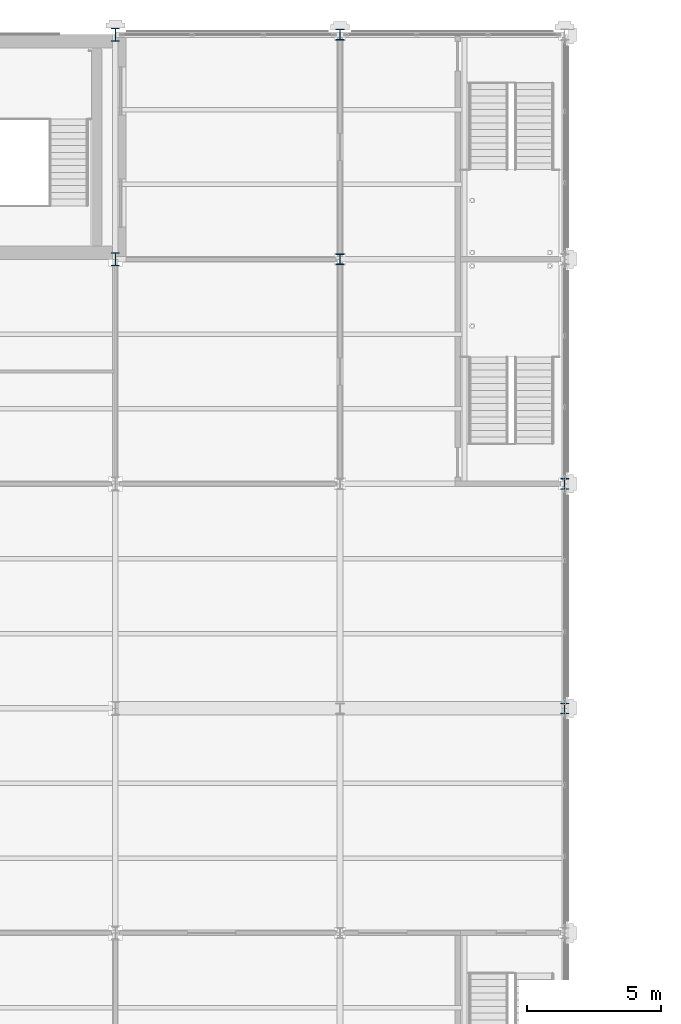
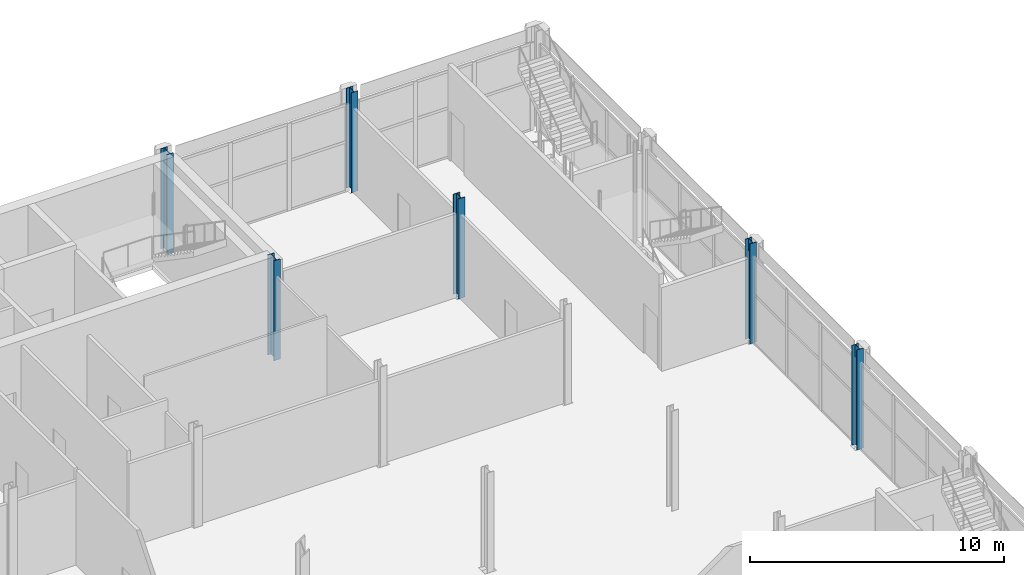
# One storey, part 14 of 167: 6 columns.
"""IFC4 building model written with IfcOpenShell, lengths in metres."""

import ifcopenshell
import ifcopenshell.guid

model = None  # the IFC model being written
_history = None  # IfcOwnerHistory: only IFC2X3 demands one
_inside = {}  # id of a spatial element -> (the spatial element, [elements in it])
_under = {}  # id of a project, library or spatial element -> (it, [spatial elements below it])
_declared = {}  # id of a project -> (the project, [libraries it declares])
_typed = {}  # id of a type object -> (the type object, [elements of that type])
_made_of = {}  # id of a material, layer set ... -> (it, [elements and type objects made of it])


def new_model(schema):
    """Start an empty IFC model of exactly this schema.

    Asked for "IFC4X3", IfcOpenShell would pick the latest addendum, in which some entities
    have other attributes; the version numbers below select the first issue.
    IFC2X3 requires an IfcOwnerHistory on every rooted entity: one is made here for all.
    """
    global model, _history
    if schema == "IFC4X3":
        model = ifcopenshell.file(schema_version=(4, 3, 0, 0))
    else:
        model = ifcopenshell.file(schema=schema)
    _inside.clear()
    _under.clear()
    _declared.clear()
    _typed.clear()
    _made_of.clear()
    _history = None
    if model.schema == "IFC2X3":
        org = make("IfcOrganization", Name="unknown")
        user = make(
            "IfcPersonAndOrganization",
            ThePerson=make("IfcPerson", FamilyName="unknown"),
            TheOrganization=org,
        )
        app = make(
            "IfcApplication",
            ApplicationDeveloper=org,
            Version="unknown",
            ApplicationFullName="unknown",
            ApplicationIdentifier="unknown",
        )
        _history = make(
            "IfcOwnerHistory",
            OwningUser=user,
            OwningApplication=app,
            ChangeAction="ADDED",
            CreationDate=0,
        )
    return model


def make(cls, **values):
    """One entity of the class cls with the attributes given. An attribute that is None is left unset."""
    return model.create_entity(
        cls, **{name: value for name, value in values.items() if value is not None}
    )


def rooted(cls, **values):
    """An entity with a GlobalId (a new one), such as an element, a storey or a relation."""
    return make(cls, GlobalId=ifcopenshell.guid.new(), OwnerHistory=_history, **values)


def si_unit(unit_type, name, prefix=None):
    """IfcSIUnit, for example si_unit("LENGTHUNIT", "METRE", prefix="MILLI")."""
    return make("IfcSIUnit", UnitType=unit_type, Prefix=prefix, Name=name)


def assignment(units):
    """IfcUnitAssignment: the units of a project."""
    return None if units is None else make("IfcUnitAssignment", Units=units)


def point(xyz):
    """IfcCartesianPoint."""
    return None if xyz is None else make("IfcCartesianPoint", Coordinates=xyz)


def direction(xyz):
    """IfcDirection."""
    return None if xyz is None else make("IfcDirection", DirectionRatios=xyz)


def frame(location, z_axis=None, x_axis=None):
    """IfcAxis2Placement3D, a coordinate frame: its origin and axes. An axis left out is left unset."""
    return make(
        "IfcAxis2Placement3D",
        Location=point(location),
        Axis=direction(z_axis),
        RefDirection=direction(x_axis),
    )


def frame_2d(location, x_axis=None):
    """IfcAxis2Placement2D, a coordinate frame in the plane: its origin and x axis."""
    return make(
        "IfcAxis2Placement2D", Location=point(location), RefDirection=direction(x_axis)
    )


def origin():
    """The frame at (0, 0, 0) with its axes left unset."""
    return frame((0.0, 0.0, 0.0))


def origin_2d():
    """The frame at (0, 0) in the plane with its x axis left unset."""
    return frame_2d((0.0, 0.0))


def place(relative_to, where):
    """IfcLocalPlacement: puts the frame where relative to a parent placement (None: the world)."""
    return make(
        "IfcLocalPlacement", PlacementRelTo=relative_to, RelativePlacement=where
    )


def context(
    kind, dimensions, precision=None, world=None, true_north=None, identifier=None
):
    """IfcGeometricRepresentationContext, for example the 3D "Model" context."""
    return make(
        "IfcGeometricRepresentationContext",
        ContextIdentifier=identifier,
        ContextType=kind,
        CoordinateSpaceDimension=dimensions,
        Precision=precision,
        WorldCoordinateSystem=world,
        TrueNorth=true_north,
    )


def subcontext(parent, identifier, kind, view, scale=None):
    """IfcGeometricRepresentationSubContext, for example "Body" below "Model"."""
    return make(
        "IfcGeometricRepresentationSubContext",
        ContextIdentifier=identifier,
        ContextType=kind,
        ParentContext=parent,
        TargetScale=scale,
        TargetView=view,
    )


def project(units=None, contexts=None):
    """IfcProject with its units and contexts."""
    return rooted(
        "IfcProject",
        Name="project",
        RepresentationContexts=contexts,
        UnitsInContext=assignment(units),
    )


def spatial(cls, under=None, at=None, **own):
    """A site, building, storey or space (cls), placed at a placement, below another one or the project."""
    s = rooted(cls, ObjectPlacement=at, **own)
    if under is not None:
        _under.setdefault(under.id(), (under, []))[1].append(s)
    return s


def profile(cls, at=None, kind="AREA", **sizes):
    """A parametric profile (cls). Its sizes go by their IFC names, for example OverallWidth=200.0."""
    return make(cls, ProfileType=kind, Position=at, **sizes)


def i_section(**sizes):
    """IfcIShapeProfileDef."""
    return profile("IfcIShapeProfileDef", **sizes)


def extrude(swept, where, along, depth):
    """IfcExtrudedAreaSolid: the profile swept, set in the frame where, extruded along a direction by depth."""
    return make(
        "IfcExtrudedAreaSolid",
        SweptArea=swept,
        Position=where,
        ExtrudedDirection=direction(along),
        Depth=depth,
    )


def shape(context_of_items, identifier, shape_type, items):
    """IfcShapeRepresentation: the items that make up one representation, for example the "Body"."""
    return make(
        "IfcShapeRepresentation",
        ContextOfItems=context_of_items,
        RepresentationIdentifier=identifier,
        RepresentationType=shape_type,
        Items=items,
    )


def material(Name=None, Category=None):
    """IfcMaterial."""
    return make("IfcMaterial", Name=Name, Category=Category)


def material_profile(
    of_material, cross_section, Name=None, Category=None, Priority=None
):
    """IfcMaterialProfile: a cross section and its material."""
    return make(
        "IfcMaterialProfile",
        Name=Name,
        Material=of_material,
        Profile=cross_section,
        Priority=Priority,
        Category=Category,
    )


def profile_set(profiles, Name=None, composite=None):
    """IfcMaterialProfileSet."""
    return make(
        "IfcMaterialProfileSet",
        Name=Name,
        MaterialProfiles=profiles,
        CompositeProfile=composite,
    )


def made_of(thing, what):
    """Note that an element or type object is made of a material, layer set ...; save() writes the relation."""
    if what is not None:
        _made_of.setdefault(what.id(), (what, []))[1].append(thing)
    return thing


def type_object(cls, material=None, **own):
    """A type object (cls), such as IfcWallType, which elements share."""
    return made_of(rooted(cls, **own), material)


def element(
    cls,
    number,
    at=None,
    inside=None,
    cuts=None,
    type_object=None,
    material=None,
    context=None,
    identifier="Body",
    shape_type=None,
    held_by="IfcProductDefinitionShape",
    body=None,
    shapes=None,
    **own,
):
    """One element of the class cls, such as IfcWall. Its Tag is "e" and its number.

    at: its placement. inside: the storey or other place that contains it. cuts: it is an
    opening in that element (IfcRelVoidsElement). A single representation is given by context,
    identifier, shape_type and body (its items); several are given by shapes. held_by: the class
    of the entity that holds the representations. save() writes the other relations.
    """
    e = rooted(cls, Tag="e%d" % number, ObjectPlacement=at, **own)
    if body is not None:
        shapes = [shape(context, identifier, shape_type, body)]
    if shapes is not None:
        e.Representation = make(held_by, Representations=shapes)
    if inside is not None:
        _inside.setdefault(inside.id(), (inside, []))[1].append(e)
    if cuts is not None:
        rooted(
            "IfcRelVoidsElement", RelatingBuildingElement=cuts, RelatedOpeningElement=e
        )
    if type_object is not None:
        _typed.setdefault(type_object.id(), (type_object, []))[1].append(e)
    return made_of(e, material)


def aggregate(whole, parts):
    """IfcRelAggregates: a whole, such as a stair, and the parts it consists of."""
    return rooted("IfcRelAggregates", RelatingObject=whole, RelatedObjects=parts)


def save(model, path):
    """Write the relations noted so far, then the file.

    IfcRelAggregates (storeys below a building ...), IfcRelContainedInSpatialStructure (elements
    in a storey), IfcRelDefinesByType, IfcRelAssociatesMaterial and IfcRelDeclares: one each for
    every whole, place, type object, material and project.
    """
    for whole, parts in _under.values():
        aggregate(whole, parts)
    for where, things in _inside.values():
        rooted(
            "IfcRelContainedInSpatialStructure",
            RelatedElements=things,
            RelatingStructure=where,
        )
    for kind, things in _typed.values():
        rooted("IfcRelDefinesByType", RelatedObjects=things, RelatingType=kind)
    for what, things in _made_of.values():
        rooted("IfcRelAssociatesMaterial", RelatedObjects=things, RelatingMaterial=what)
    for by, libraries in _declared.values():
        rooted("IfcRelDeclares", RelatingContext=by, RelatedDefinitions=libraries)
    model.write(path)


model = new_model("IFC4")

# Units and contexts
model_context = context("Model", 3, precision=1e-05, world=origin(), true_north=direction((0.0, 1.0)))
body_context = subcontext(model_context, "Body", "Model", "MODEL_VIEW")
ifc_project = project(units=[si_unit("LENGTHUNIT", "METRE"), si_unit("AREAUNIT", "SQUARE_METRE"), si_unit("VOLUMEUNIT", "CUBIC_METRE"), si_unit("PLANEANGLEUNIT", "RADIAN"), si_unit("MASSUNIT", "GRAM", prefix="KILO")], contexts=[model_context])

# Site, building, storey
site_placement = place(None, origin())
site = spatial("IfcSite", under=ifc_project, at=site_placement, CompositionType="ELEMENT")
building_placement = place(site_placement, origin())
building = spatial("IfcBuilding", under=site, at=building_placement, Name="Catenary Quay Ferry Terminal", CompositionType="ELEMENT")
storey_placement = place(building_placement, frame((0.0, 0.0, 6.0)))
storey = spatial("IfcBuildingStorey", under=building, at=storey_placement, Name="L01", CompositionType="ELEMENT", Elevation=6.0)

# Columns
ifc_material_1 = material(Name="Steel S355", Category="steel")
ifc_material_profile_1 = material_profile(ifc_material_1, i_section(OverallWidth=0.300048828125, OverallDepth=0.5, WebThickness=0.014404296875, FlangeThickness=0.028076171875, at=origin_2d()), Name="HEB 500")
ifc_profile_set_1 = profile_set([ifc_material_profile_1], Name="Steel S355")
column_type_1 = type_object("IfcColumnType", Name="C1 HEB 500", PredefinedType="COLUMN", material=ifc_profile_set_1)
for number, where, z_axis, x_axis, name in (
    (1, (50.39990234375, 201.60009765625, 0.0), (0.0, 0.0, 1.0), (1.0, 0.0, 0.0), "Column C-G25 L01"),
    (2, (50.39990234375, 210.0, 0.0), (0.0, 0.0, 1.0), (1.0, 0.0, 0.0), "Column C-G26 L01"),
):
    element("IfcColumn", number, at=place(storey_placement, frame(where, z_axis=z_axis, x_axis=x_axis)), inside=storey, type_object=column_type_1, Name=name, PredefinedType="COLUMN", context=body_context, shape_type="SweptSolid", body=[
        extrude(i_section(OverallWidth=0.300048828125, OverallDepth=0.5, WebThickness=0.014404296875, FlangeThickness=0.028076171875, at=origin_2d()), origin(), (0.0, 0.0, 1.0), 4.800048828125),
    ])
ifc_material_2 = material(Name="Steel S355", Category="steel")
ifc_material_profile_2 = material_profile(ifc_material_2, i_section(OverallWidth=0.300048828125, OverallDepth=0.39990234375, WebThickness=0.013427734375, FlangeThickness=0.02392578125, at=origin_2d()), Name="HEB 400")
ifc_profile_set_2 = profile_set([ifc_material_profile_2], Name="Steel S355")
column_type_2 = type_object("IfcColumnType", Name="C2 HEB 400", PredefinedType="COLUMN", material=ifc_profile_set_2)
for number, where, z_axis, x_axis, name in (
    (3, (58.800048828125, 201.60009765625, 0.0), (0.0, 0.0, 1.0), (1.0, 0.0, 0.0), "Column C-H25 L01"),
    (4, (58.800048828125, 210.0, 0.0), (0.0, 0.0, 1.0), (1.0, 0.0, 0.0), "Column C-H26 L01"),
    (5, (67.199951171875, 184.800048828125, 0.0), (0.0, 0.0, 1.0), (1.0, 0.0, 0.0), "Column C-I23 L01"),
    (6, (67.199951171875, 193.199951171875, 0.0), (0.0, 0.0, 1.0), (1.0, 0.0, 0.0), "Column C-I24 L01"),
):
    element("IfcColumn", number, at=place(storey_placement, frame(where, z_axis=z_axis, x_axis=x_axis)), inside=storey, type_object=column_type_2, Name=name, PredefinedType="COLUMN", context=body_context, shape_type="SweptSolid", body=[
        extrude(i_section(OverallWidth=0.300048828125, OverallDepth=0.39990234375, WebThickness=0.013427734375, FlangeThickness=0.02392578125, at=origin_2d()), origin(), (0.0, 0.0, 1.0), 4.800048828125),
    ])

save(model, "model.ifc")
